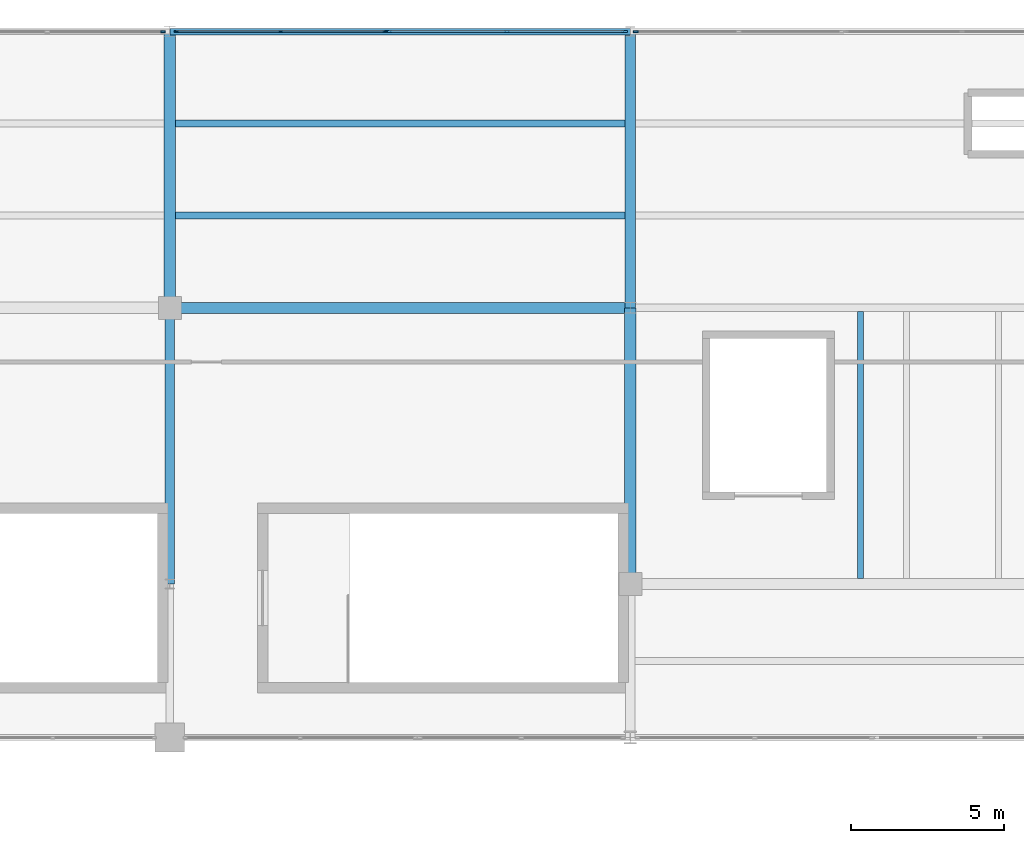
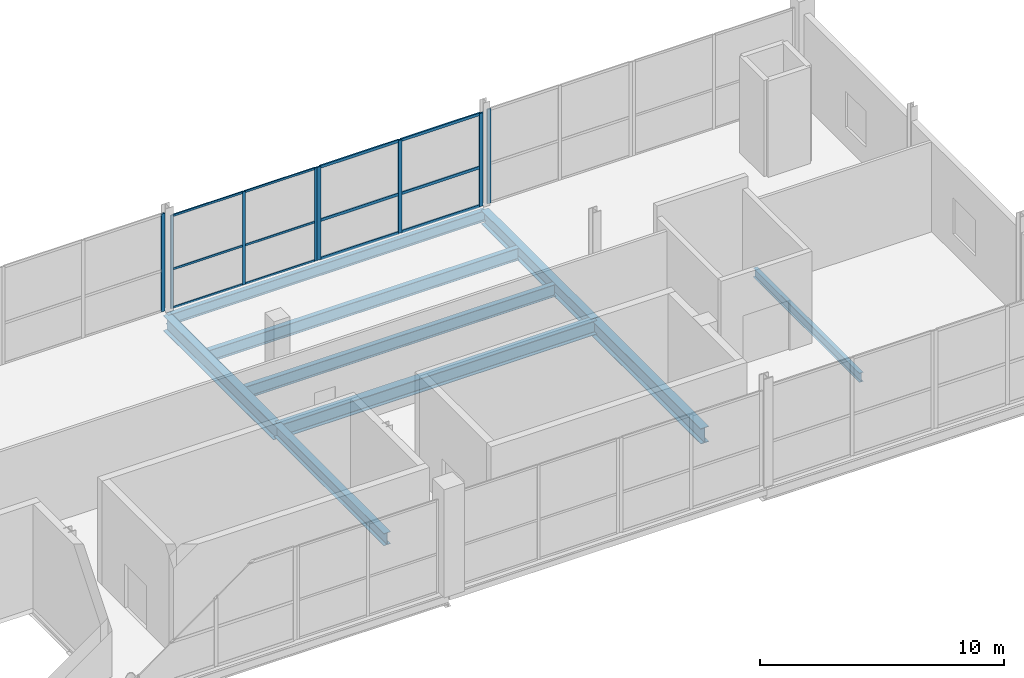
# One storey, part 38 of 119: 20 members, 9 beams, 4 elements without a shape of their own.
"""IFC4 building model written with IfcOpenShell, lengths in metres."""

from ifc_helpers import new_model, si_unit, direction, frame, origin, origin_2d, place, context, subcontext, project, spatial, rectangle, i_section, extrude, material, layer, layer_set, material_profile, profile_set, type_object, element, aggregate, save


model = new_model("IFC4")

# Units and contexts
model_context = context("Model", 3, precision=1e-05, world=origin(), true_north=direction((0.0, 1.0)))
body_context = subcontext(model_context, "Body", "Model", "MODEL_VIEW")
ifc_project = project(units=[si_unit("LENGTHUNIT", "METRE"), si_unit("AREAUNIT", "SQUARE_METRE"), si_unit("VOLUMEUNIT", "CUBIC_METRE"), si_unit("PLANEANGLEUNIT", "RADIAN"), si_unit("MASSUNIT", "GRAM", prefix="KILO")], contexts=[model_context])

# Site, building, storey
site_placement = place(None, origin())
site = spatial("IfcSite", under=ifc_project, at=site_placement, CompositionType="ELEMENT")
building_placement = place(site_placement, origin())
building = spatial("IfcBuilding", under=site, at=building_placement, Name="Qamarlyn Nura Convention Centre", CompositionType="ELEMENT")
storey_placement = place(building_placement, frame((0.0, 0.0, 5.39990234375)))
storey = spatial("IfcBuildingStorey", under=building, at=storey_placement, Name="L01", CompositionType="ELEMENT", Elevation=5.39990234375)

# Beams
ifc_material_1 = material(Name="Steel ASTM A992", Category="steel")
ifc_material_profile_1 = material_profile(ifc_material_1, i_section(OverallWidth=0.323974609375, OverallDepth=0.611083984375, WebThickness=0.0126953125, FlangeThickness=0.01904296875, FilletRadius=0.01611328125, at=origin_2d()), Name="W610X155")
ifc_profile_set_1 = profile_set([ifc_material_profile_1], Name="Steel ASTM A992")
beam_type_1 = type_object("IfcBeamType", Name="BM-GIRD-610", PredefinedType="BEAM", material=ifc_profile_set_1)
beam_1_placement = place(storey_placement, frame((60.0, 108.0, -0.525390625), z_axis=(0.0, 1.0, 0.0), x_axis=(-1.0, 0.0, 0.0)))
element("IfcBeam", 1, at=beam_1_placement, inside=storey, type_object=beam_type_1, Name="L01 girder 5 N-P", PredefinedType="BEAM", context=body_context, shape_type="SweptSolid", body=[
    extrude(i_section(OverallWidth=0.323974609375, OverallDepth=0.611083984375, WebThickness=0.0126953125, FlangeThickness=0.01904296875, FilletRadius=0.01611328125, at=origin_2d()), origin(), (0.0, 0.0, 1.0), 9.0),
])
ifc_material_profile_2 = material_profile(ifc_material_1, i_section(OverallWidth=0.35498046875, OverallDepth=0.695068359375, WebThickness=0.015380859375, FlangeThickness=0.02490234375, FilletRadius=0.01806640625, at=origin_2d()), Name="W690X217")
ifc_profile_set_2 = profile_set([ifc_material_profile_2], Name="Steel ASTM A992")
beam_type_2 = type_object("IfcBeamType", Name="BM-GIRD-690A", PredefinedType="BEAM", material=ifc_profile_set_2)
beam_2_placement = place(storey_placement, frame((60.0, 117.0, -0.5673828125), z_axis=(1.0, 0.0, 0.0), x_axis=(0.0, 1.0, 0.0)))
element("IfcBeam", 2, at=beam_2_placement, inside=storey, type_object=beam_type_2, Name="L01 girder P 5-6", PredefinedType="BEAM", context=body_context, shape_type="SweptSolid", body=[
    extrude(i_section(OverallWidth=0.35498046875, OverallDepth=0.695068359375, WebThickness=0.015380859375, FlangeThickness=0.02490234375, FilletRadius=0.01806640625, at=origin_2d()), origin(), (0.0, 0.0, 1.0), 15.0),
])
beam_3_placement = place(storey_placement, frame((75.0, 117.0, -0.5673828125), z_axis=(0.0, 1.0, 0.0), x_axis=(-1.0, 0.0, 0.0)))
element("IfcBeam", 3, at=beam_3_placement, inside=storey, type_object=beam_type_2, Name="L01 girder 6 P-Q", PredefinedType="BEAM", context=body_context, shape_type="SweptSolid", body=[
    extrude(i_section(OverallWidth=0.35498046875, OverallDepth=0.695068359375, WebThickness=0.015380859375, FlangeThickness=0.02490234375, FilletRadius=0.01806640625, at=origin_2d()), origin(), (0.0, 0.0, 1.0), 9.0),
])
ifc_material_profile_3 = material_profile(ifc_material_1, i_section(OverallWidth=0.381103515625, OverallDepth=0.77294921875, WebThickness=0.0166015625, FlangeThickness=0.027587890625, FilletRadius=0.02001953125, at=origin_2d()), Name="W760X257")
ifc_profile_set_3 = profile_set([ifc_material_profile_3], Name="Steel ASTM A992")
beam_type_3 = type_object("IfcBeamType", Name="BM-GIRD-760", PredefinedType="BEAM", material=ifc_profile_set_3)
for number, where, z_axis, x_axis, name in (
    (4, (60.0, 117.0, -0.6064453125), (0.0, 1.0, 0.0), (-1.0, 0.0, 0.0), "L01 girder 5 P-Q"),
    (5, (75.0, 108.0, -0.6064453125), (0.0, 1.0, 0.0), (-1.0, 0.0, 0.0), "L01 girder 6 N-P"),
):
    element("IfcBeam", number, at=place(storey_placement, frame(where, z_axis=z_axis, x_axis=x_axis)), inside=storey, type_object=beam_type_3, Name=name, PredefinedType="BEAM", context=body_context, shape_type="SweptSolid", body=[
        extrude(i_section(OverallWidth=0.381103515625, OverallDepth=0.77294921875, WebThickness=0.0166015625, FlangeThickness=0.027587890625, FilletRadius=0.02001953125, at=origin_2d()), origin(), (0.0, 0.0, 1.0), 9.0),
    ])
ifc_material_profile_4 = material_profile(ifc_material_1, i_section(OverallWidth=0.18994140625, OverallDepth=0.45703125, WebThickness=0.009033203125, FlangeThickness=0.014404296875, FilletRadius=0.012939453125, at=origin_2d()), Name="W460X74")
ifc_profile_set_4 = profile_set([ifc_material_profile_4], Name="Steel ASTM A992")
beam_type_4 = type_object("IfcBeamType", Name="BM-JOIST-460", PredefinedType="JOIST", material=ifc_profile_set_4)
beam_4_placement = place(storey_placement, frame((82.5, 108.177490234375, -0.448486328125), z_axis=(0.0, 1.0, 0.0), x_axis=(-1.0, 0.0, 0.0)))
element("IfcBeam", 6, at=beam_4_placement, inside=storey, type_object=beam_type_4, Name="L01 secondary joist 6-7/N-P-03", PredefinedType="JOIST", context=body_context, shape_type="SweptSolid", body=[
    extrude(i_section(OverallWidth=0.18994140625, OverallDepth=0.45703125, WebThickness=0.009033203125, FlangeThickness=0.014404296875, FilletRadius=0.012939453125, at=origin_2d()), origin(), (0.0, 0.0, 1.0), 8.695556640625),
])
ifc_material_profile_5 = material_profile(ifc_material_1, i_section(OverallWidth=0.22802734375, OverallDepth=0.60791015625, WebThickness=0.01123046875, FlangeThickness=0.017333984375, FilletRadius=0.01611328125, at=origin_2d()), Name="W610X113")
ifc_profile_set_5 = profile_set([ifc_material_profile_5], Name="Steel ASTM A992")
beam_type_5 = type_object("IfcBeamType", Name="BM-JOIST-610", PredefinedType="JOIST", material=ifc_profile_set_5)
for number, where, z_axis, x_axis, name in (
    (7, (60.1904296875, 120.0, -0.52392578125), (1.0, 0.0, 0.0), (0.0, 1.0, 0.0), "L01 composite joist 5-6/P+1"),
    (8, (60.1904296875, 123.0, -0.52392578125), (1.0, 0.0, 0.0), (0.0, 1.0, 0.0), "L01 composite joist 5-6/P+2"),
):
    element("IfcBeam", number, at=place(storey_placement, frame(where, z_axis=z_axis, x_axis=x_axis)), inside=storey, type_object=beam_type_5, Name=name, PredefinedType="JOIST", context=body_context, shape_type="SweptSolid", body=[
        extrude(i_section(OverallWidth=0.22802734375, OverallDepth=0.60791015625, WebThickness=0.01123046875, FlangeThickness=0.017333984375, FilletRadius=0.01611328125, at=origin_2d()), origin(), (0.0, 0.0, 1.0), 14.632080078125),
    ])
ifc_material_profile_6 = material_profile(ifc_material_1, i_section(OverallWidth=0.2109375, OverallDepth=0.5390625, WebThickness=0.01171875, FlangeThickness=0.018798828125, FilletRadius=0.013916015625, at=origin_2d()), Name="W530X109")
ifc_profile_set_6 = profile_set([ifc_material_profile_6], Name="Steel ASTM A992")
beam_type_6 = type_object("IfcBeamType", Name="BM-SPAN-530", PredefinedType="SPANDREL", material=ifc_profile_set_6)
beam_5_placement = place(storey_placement, frame((60.0, 126.0, -0.489501953125), z_axis=(1.0, 0.0, 0.0), x_axis=(0.0, 1.0, 0.0)))
element("IfcBeam", 9, at=beam_5_placement, inside=storey, type_object=beam_type_6, Name="L01 girder Q 5-6", PredefinedType="SPANDREL", context=body_context, shape_type="SweptSolid", body=[
    extrude(i_section(OverallWidth=0.2109375, OverallDepth=0.5390625, WebThickness=0.01171875, FlangeThickness=0.018798828125, FilletRadius=0.013916015625, at=origin_2d()), origin(), (0.0, 0.0, 1.0), 15.0),
])

# Curtain wall, members
ifc_material_2 = material(Name="Double-silver low-E insulated glass", Category="glass")
ifc_layer_1 = layer(ifc_material_2, 0.179931640625, Name="CW-UNIT-43")
ifc_layer_set_1 = layer_set([ifc_layer_1], Name="Double-silver low-E insulated glass")
curtain_wall_type_1 = type_object("IfcCurtainWallType", Name="CW-UNIT-43", PredefinedType="NOTDEFINED", material=ifc_layer_set_1)
curtain_wall_1_placement = place(storey_placement, origin())
curtain_wall_1 = element("IfcCurtainWall", 10, at=curtain_wall_1_placement, inside=storey, type_object=curtain_wall_type_1, Name="L01 unitised curtain wall NS-N4-1A", PredefinedType="NOTDEFINED")
ifc_material_3 = material(Name="Champagne-anodised marine aluminium", Category="aluminium")
ifc_material_profile_7 = material_profile(ifc_material_3, rectangle(XDim=0.06005859375, YDim=0.139892578125, at=origin_2d()), Name="ALU MULLION 60x140")
ifc_profile_set_7 = profile_set([ifc_material_profile_7], Name="Champagne-anodised marine aluminium")
member_type_1 = type_object("IfcMemberType", Name="CWM-140", PredefinedType="MULLION", material=ifc_profile_set_7)
member_1_placement = place(storey_placement, frame((60.217041015625, 126.0, 0.0), z_axis=(0.0, 0.0, 1.0), x_axis=(0.0, 1.0, 0.0)))
member_1 = element("IfcMember", 11, at=member_1_placement, type_object=member_type_1, Name="CW43 mullion 1", PredefinedType="MULLION", context=body_context, shape_type="SweptSolid", body=[
    extrude(rectangle(XDim=0.06005859375, YDim=0.139892578125, at=origin_2d()), origin(), (0.0, 0.0, 1.0), 4.651123046875),
])
member_2_placement = place(storey_placement, frame((63.6123046875, 126.0, 0.0), z_axis=(0.0, 0.0, 1.0), x_axis=(0.0, 1.0, 0.0)))
member_2 = element("IfcMember", 12, at=member_2_placement, type_object=member_type_1, Name="CW43 mullion 2", PredefinedType="MULLION", context=body_context, shape_type="SweptSolid", body=[
    extrude(rectangle(XDim=0.06005859375, YDim=0.139892578125, at=origin_2d()), origin(), (0.0, 0.0, 1.0), 4.651123046875),
])
member_3_placement = place(storey_placement, frame((67.00732421875, 126.0, 0.0), z_axis=(0.0, 0.0, 1.0), x_axis=(0.0, 1.0, 0.0)))
member_3 = element("IfcMember", 13, at=member_3_placement, type_object=member_type_1, Name="CW43 mullion 3", PredefinedType="MULLION", context=body_context, shape_type="SweptSolid", body=[
    extrude(rectangle(XDim=0.06005859375, YDim=0.139892578125, at=origin_2d()), origin(), (0.0, 0.0, 1.0), 4.651123046875),
])

# Curtain wall, member
ifc_layer_2 = layer(ifc_material_2, 0.179931640625, Name="CW-UNIT-48")
ifc_layer_set_2 = layer_set([ifc_layer_2], Name="Double-silver low-E insulated glass")
curtain_wall_type_2 = type_object("IfcCurtainWallType", Name="CW-UNIT-48", PredefinedType="NOTDEFINED", material=ifc_layer_set_2)
curtain_wall_2_placement = place(storey_placement, origin())
curtain_wall_2 = element("IfcCurtainWall", 14, at=curtain_wall_2_placement, inside=storey, type_object=curtain_wall_type_2, Name="L01 unitised curtain wall NS-N3-1B", PredefinedType="NOTDEFINED")
ifc_material_profile_8 = material_profile(ifc_material_3, rectangle(XDim=0.06494140625, YDim=0.159912109375, at=origin_2d()), Name="ALU MULLION 65x160")
ifc_profile_set_8 = profile_set([ifc_material_profile_8], Name="Champagne-anodised marine aluminium")
member_type_2 = type_object("IfcMemberType", Name="CWM-160", PredefinedType="MULLION", material=ifc_profile_set_8)
member_4_placement = place(storey_placement, frame((59.780517578125, 126.0, 0.0), z_axis=(0.0, 0.0, 1.0), x_axis=(0.0, 1.0, 0.0)))
member_4 = element("IfcMember", 15, at=member_4_placement, type_object=member_type_2, Name="CW48 mullion 3", PredefinedType="MULLION", context=body_context, shape_type="SweptSolid", body=[
    extrude(rectangle(XDim=0.06494140625, YDim=0.159912109375, at=origin_2d()), origin(), (0.0, 0.0, 1.0), 4.89013671875),
])
aggregate(curtain_wall_2, [member_4])

ifc_layer_3 = layer(ifc_material_2, 0.179931640625, Name="CW-UNIT-49")
ifc_layer_set_3 = layer_set([ifc_layer_3], Name="Double-silver low-E insulated glass")
curtain_wall_type_3 = type_object("IfcCurtainWallType", Name="CW-UNIT-49", PredefinedType="NOTDEFINED", material=ifc_layer_set_3)
curtain_wall_3_placement = place(storey_placement, origin())
curtain_wall_3 = element("IfcCurtainWall", 16, at=curtain_wall_3_placement, inside=storey, type_object=curtain_wall_type_3, Name="L01 unitised curtain wall NS-N5-1A", PredefinedType="NOTDEFINED")
member_5_placement = place(storey_placement, frame((75.18505859375, 126.0, 0.0), z_axis=(0.0, 0.0, 1.0), x_axis=(0.0, 1.0, 0.0)))
member_5 = element("IfcMember", 17, at=member_5_placement, type_object=member_type_2, Name="CW49 mullion 1", PredefinedType="MULLION", context=body_context, shape_type="SweptSolid", body=[
    extrude(rectangle(XDim=0.06494140625, YDim=0.159912109375, at=origin_2d()), origin(), (0.0, 0.0, 1.0), 4.72412109375),
])
aggregate(curtain_wall_3, [member_5])

# Curtain wall, members
ifc_layer_4 = layer(ifc_material_2, 0.179931640625, Name="CW-UNIT-44")
ifc_layer_set_4 = layer_set([ifc_layer_4], Name="Double-silver low-E insulated glass")
curtain_wall_type_4 = type_object("IfcCurtainWallType", Name="CW-UNIT-44", PredefinedType="NOTDEFINED", material=ifc_layer_set_4)
curtain_wall_4_placement = place(storey_placement, origin())
curtain_wall_4 = element("IfcCurtainWall", 18, at=curtain_wall_4_placement, inside=storey, type_object=curtain_wall_type_4, Name="L01 unitised curtain wall NS-N4-1B", PredefinedType="NOTDEFINED")
ifc_material_profile_9 = material_profile(ifc_material_3, rectangle(XDim=0.070068359375, YDim=0.179931640625, at=origin_2d()), Name="ALU MULLION 70x180")
ifc_profile_set_9 = profile_set([ifc_material_profile_9], Name="Champagne-anodised marine aluminium")
member_type_3 = type_object("IfcMemberType", Name="CWM-180", PredefinedType="MULLION", material=ifc_profile_set_9)
member_6_placement = place(storey_placement, frame((67.15234375, 126.0, 0.0), z_axis=(0.0, 0.0, 1.0), x_axis=(0.0, 1.0, 0.0)))
member_6 = element("IfcMember", 19, at=member_6_placement, type_object=member_type_3, Name="CW44 mullion 1", PredefinedType="MULLION", context=body_context, shape_type="SweptSolid", body=[
    extrude(rectangle(XDim=0.070068359375, YDim=0.179931640625, at=origin_2d()), origin(), (0.0, 0.0, 1.0), 4.651123046875),
])
member_7_placement = place(storey_placement, frame((70.982421875, 126.0, 0.0), z_axis=(0.0, 0.0, 1.0), x_axis=(0.0, 1.0, 0.0)))
member_7 = element("IfcMember", 20, at=member_7_placement, type_object=member_type_3, Name="CW44 mullion 2", PredefinedType="MULLION", context=body_context, shape_type="SweptSolid", body=[
    extrude(rectangle(XDim=0.070068359375, YDim=0.179931640625, at=origin_2d()), origin(), (0.0, 0.0, 1.0), 4.651123046875),
])
member_8_placement = place(storey_placement, frame((74.8125, 126.0, 0.0), z_axis=(0.0, 0.0, 1.0), x_axis=(0.0, 1.0, 0.0)))
member_8 = element("IfcMember", 21, at=member_8_placement, type_object=member_type_3, Name="CW44 mullion 3", PredefinedType="MULLION", context=body_context, shape_type="SweptSolid", body=[
    extrude(rectangle(XDim=0.070068359375, YDim=0.179931640625, at=origin_2d()), origin(), (0.0, 0.0, 1.0), 4.651123046875),
])

# Member
ifc_material_profile_10 = material_profile(ifc_material_3, rectangle(XDim=0.06005859375, YDim=0.10009765625, at=origin_2d()), Name="ALU TRANSOM 60x100")
ifc_profile_set_10 = profile_set([ifc_material_profile_10], Name="Champagne-anodised marine aluminium")
member_type_4 = type_object("IfcMemberType", Name="CWT-100", PredefinedType="USERDEFINED", material=ifc_profile_set_10)
member_9_placement = place(storey_placement, frame((60.2470703125, 126.0, 0.030029296875), z_axis=(1.0, 0.0, 0.0), x_axis=(0.0, 1.0, 0.0)))
member_9 = element("IfcMember", 22, at=member_9_placement, type_object=member_type_4, Name="CW43 transom 1.1", ObjectType="TRANSOM", PredefinedType="USERDEFINED", context=body_context, shape_type="SweptSolid", body=[
    extrude(rectangle(XDim=0.06005859375, YDim=0.10009765625, at=origin_2d()), origin(), (0.0, 0.0, 1.0), 3.335205078125),
])

member_10_placement = place(storey_placement, frame((60.2470703125, 126.0, 1.953125), z_axis=(1.0, 0.0, 0.0), x_axis=(0.0, 1.0, 0.0)))
member_10 = element("IfcMember", 23, at=member_10_placement, type_object=member_type_4, Name="CW43 transom 1.2", ObjectType="TRANSOM", PredefinedType="USERDEFINED", context=body_context, shape_type="SweptSolid", body=[
    extrude(rectangle(XDim=0.06005859375, YDim=0.10009765625, at=origin_2d()), origin(), (0.0, 0.0, 1.0), 3.335205078125),
])

member_11_placement = place(storey_placement, frame((60.2470703125, 126.0, 4.62109375), z_axis=(1.0, 0.0, 0.0), x_axis=(0.0, 1.0, 0.0)))
member_11 = element("IfcMember", 24, at=member_11_placement, type_object=member_type_4, Name="CW43 transom 1.3", ObjectType="TRANSOM", PredefinedType="USERDEFINED", context=body_context, shape_type="SweptSolid", body=[
    extrude(rectangle(XDim=0.06005859375, YDim=0.10009765625, at=origin_2d()), origin(), (0.0, 0.0, 1.0), 3.335205078125),
])

member_12_placement = place(storey_placement, frame((63.64208984375, 126.0, 0.030029296875), z_axis=(1.0, 0.0, 0.0), x_axis=(0.0, 1.0, 0.0)))
member_12 = element("IfcMember", 25, at=member_12_placement, type_object=member_type_4, Name="CW43 transom 2.1", ObjectType="TRANSOM", PredefinedType="USERDEFINED", context=body_context, shape_type="SweptSolid", body=[
    extrude(rectangle(XDim=0.06005859375, YDim=0.10009765625, at=origin_2d()), origin(), (0.0, 0.0, 1.0), 3.335205078125),
])

member_13_placement = place(storey_placement, frame((63.64208984375, 126.0, 1.953125), z_axis=(1.0, 0.0, 0.0), x_axis=(0.0, 1.0, 0.0)))
member_13 = element("IfcMember", 26, at=member_13_placement, type_object=member_type_4, Name="CW43 transom 2.2", ObjectType="TRANSOM", PredefinedType="USERDEFINED", context=body_context, shape_type="SweptSolid", body=[
    extrude(rectangle(XDim=0.06005859375, YDim=0.10009765625, at=origin_2d()), origin(), (0.0, 0.0, 1.0), 3.335205078125),
])

member_14_placement = place(storey_placement, frame((63.64208984375, 126.0, 4.62109375), z_axis=(1.0, 0.0, 0.0), x_axis=(0.0, 1.0, 0.0)))
member_14 = element("IfcMember", 27, at=member_14_placement, type_object=member_type_4, Name="CW43 transom 2.3", ObjectType="TRANSOM", PredefinedType="USERDEFINED", context=body_context, shape_type="SweptSolid", body=[
    extrude(rectangle(XDim=0.06005859375, YDim=0.10009765625, at=origin_2d()), origin(), (0.0, 0.0, 1.0), 3.335205078125),
])

aggregate(curtain_wall_1, [member_1, member_2, member_3, member_9, member_10, member_11, member_12, member_13, member_14])

ifc_material_profile_11 = material_profile(ifc_material_3, rectangle(XDim=0.070068359375, YDim=0.139892578125, at=origin_2d()), Name="ALU TRANSOM 70x140")
ifc_profile_set_11 = profile_set([ifc_material_profile_11], Name="Champagne-anodised marine aluminium")
member_type_5 = type_object("IfcMemberType", Name="CWT-140", PredefinedType="USERDEFINED", material=ifc_profile_set_11)
member_15_placement = place(storey_placement, frame((67.1875, 126.0, 0.03515625), z_axis=(1.0, 0.0, 0.0), x_axis=(0.0, 1.0, 0.0)))
member_15 = element("IfcMember", 28, at=member_15_placement, type_object=member_type_5, Name="CW44 transom 1.1", ObjectType="TRANSOM", PredefinedType="USERDEFINED", context=body_context, shape_type="SweptSolid", body=[
    extrude(rectangle(XDim=0.070068359375, YDim=0.139892578125, at=origin_2d()), origin(), (0.0, 0.0, 1.0), 3.760009765625),
])

member_16_placement = place(storey_placement, frame((67.1875, 126.0, 1.953125), z_axis=(1.0, 0.0, 0.0), x_axis=(0.0, 1.0, 0.0)))
member_16 = element("IfcMember", 29, at=member_16_placement, type_object=member_type_5, Name="CW44 transom 1.2", ObjectType="TRANSOM", PredefinedType="USERDEFINED", context=body_context, shape_type="SweptSolid", body=[
    extrude(rectangle(XDim=0.070068359375, YDim=0.139892578125, at=origin_2d()), origin(), (0.0, 0.0, 1.0), 3.760009765625),
])

member_17_placement = place(storey_placement, frame((67.1875, 126.0, 4.6162109375), z_axis=(1.0, 0.0, 0.0), x_axis=(0.0, 1.0, 0.0)))
member_17 = element("IfcMember", 30, at=member_17_placement, type_object=member_type_5, Name="CW44 transom 1.3", ObjectType="TRANSOM", PredefinedType="USERDEFINED", context=body_context, shape_type="SweptSolid", body=[
    extrude(rectangle(XDim=0.070068359375, YDim=0.139892578125, at=origin_2d()), origin(), (0.0, 0.0, 1.0), 3.760009765625),
])

member_18_placement = place(storey_placement, frame((71.017333984375, 126.0, 0.03515625), z_axis=(1.0, 0.0, 0.0), x_axis=(0.0, 1.0, 0.0)))
member_18 = element("IfcMember", 31, at=member_18_placement, type_object=member_type_5, Name="CW44 transom 2.1", ObjectType="TRANSOM", PredefinedType="USERDEFINED", context=body_context, shape_type="SweptSolid", body=[
    extrude(rectangle(XDim=0.070068359375, YDim=0.139892578125, at=origin_2d()), origin(), (0.0, 0.0, 1.0), 3.76025390625),
])

member_19_placement = place(storey_placement, frame((71.017333984375, 126.0, 1.953125), z_axis=(1.0, 0.0, 0.0), x_axis=(0.0, 1.0, 0.0)))
member_19 = element("IfcMember", 32, at=member_19_placement, type_object=member_type_5, Name="CW44 transom 2.2", ObjectType="TRANSOM", PredefinedType="USERDEFINED", context=body_context, shape_type="SweptSolid", body=[
    extrude(rectangle(XDim=0.070068359375, YDim=0.139892578125, at=origin_2d()), origin(), (0.0, 0.0, 1.0), 3.76025390625),
])

member_20_placement = place(storey_placement, frame((71.017333984375, 126.0, 4.6162109375), z_axis=(1.0, 0.0, 0.0), x_axis=(0.0, 1.0, 0.0)))
member_20 = element("IfcMember", 33, at=member_20_placement, type_object=member_type_5, Name="CW44 transom 2.3", ObjectType="TRANSOM", PredefinedType="USERDEFINED", context=body_context, shape_type="SweptSolid", body=[
    extrude(rectangle(XDim=0.070068359375, YDim=0.139892578125, at=origin_2d()), origin(), (0.0, 0.0, 1.0), 3.76025390625),
])

aggregate(curtain_wall_4, [member_6, member_7, member_8, member_15, member_16, member_17, member_18, member_19, member_20])

save(model, "model.ifc")
